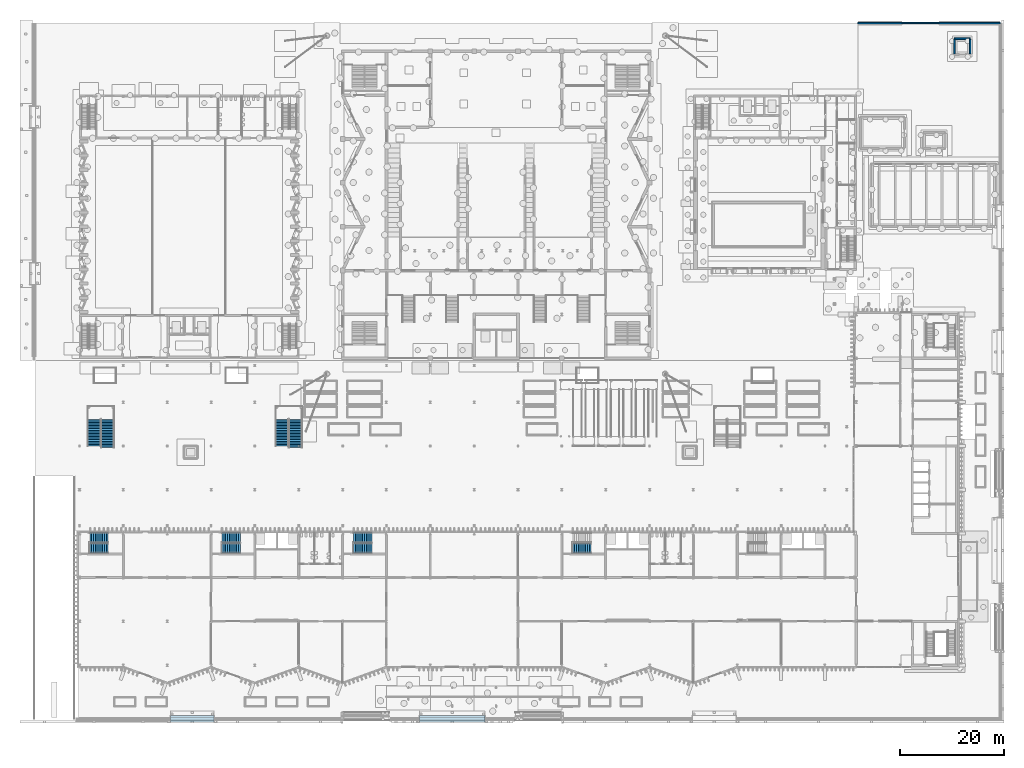
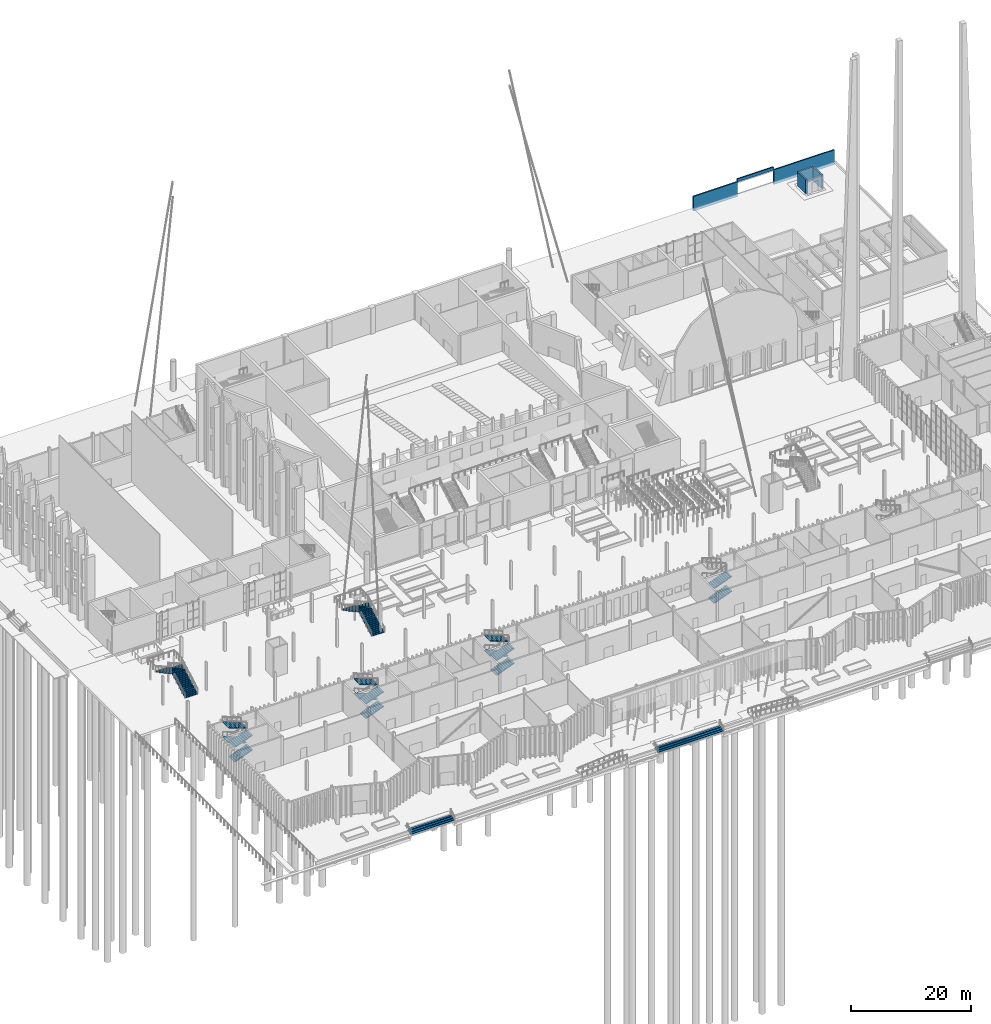
# One storey, part 77 of 108: 20 stair flights, 6 walls, 8 elements without a shape of their own.
"""IFC4 building model written with IfcOpenShell, lengths in metres."""

import ifcopenshell
import ifcopenshell.guid

model = None  # the IFC model being written
_history = None  # IfcOwnerHistory: only IFC2X3 demands one
_inside = {}  # id of a spatial element -> (the spatial element, [elements in it])
_under = {}  # id of a project, library or spatial element -> (it, [spatial elements below it])
_declared = {}  # id of a project -> (the project, [libraries it declares])
_typed = {}  # id of a type object -> (the type object, [elements of that type])
_made_of = {}  # id of a material, layer set ... -> (it, [elements and type objects made of it])


def new_model(schema):
    """Start an empty IFC model of exactly this schema.

    Asked for "IFC4X3", IfcOpenShell would pick the latest addendum, in which some entities
    have other attributes; the version numbers below select the first issue.
    IFC2X3 requires an IfcOwnerHistory on every rooted entity: one is made here for all.
    """
    global model, _history
    if schema == "IFC4X3":
        model = ifcopenshell.file(schema_version=(4, 3, 0, 0))
    else:
        model = ifcopenshell.file(schema=schema)
    _inside.clear()
    _under.clear()
    _declared.clear()
    _typed.clear()
    _made_of.clear()
    _history = None
    if model.schema == "IFC2X3":
        org = make("IfcOrganization", Name="unknown")
        user = make(
            "IfcPersonAndOrganization",
            ThePerson=make("IfcPerson", FamilyName="unknown"),
            TheOrganization=org,
        )
        app = make(
            "IfcApplication",
            ApplicationDeveloper=org,
            Version="unknown",
            ApplicationFullName="unknown",
            ApplicationIdentifier="unknown",
        )
        _history = make(
            "IfcOwnerHistory",
            OwningUser=user,
            OwningApplication=app,
            ChangeAction="ADDED",
            CreationDate=0,
        )
    return model


def make(cls, **values):
    """One entity of the class cls with the attributes given. An attribute that is None is left unset."""
    return model.create_entity(
        cls, **{name: value for name, value in values.items() if value is not None}
    )


def rooted(cls, **values):
    """An entity with a GlobalId (a new one), such as an element, a storey or a relation."""
    return make(cls, GlobalId=ifcopenshell.guid.new(), OwnerHistory=_history, **values)


def si_unit(unit_type, name, prefix=None):
    """IfcSIUnit, for example si_unit("LENGTHUNIT", "METRE", prefix="MILLI")."""
    return make("IfcSIUnit", UnitType=unit_type, Prefix=prefix, Name=name)


def assignment(units):
    """IfcUnitAssignment: the units of a project."""
    return None if units is None else make("IfcUnitAssignment", Units=units)


def point(xyz):
    """IfcCartesianPoint."""
    return None if xyz is None else make("IfcCartesianPoint", Coordinates=xyz)


def direction(xyz):
    """IfcDirection."""
    return None if xyz is None else make("IfcDirection", DirectionRatios=xyz)


def frame(location, z_axis=None, x_axis=None):
    """IfcAxis2Placement3D, a coordinate frame: its origin and axes. An axis left out is left unset."""
    return make(
        "IfcAxis2Placement3D",
        Location=point(location),
        Axis=direction(z_axis),
        RefDirection=direction(x_axis),
    )


def frame_2d(location, x_axis=None):
    """IfcAxis2Placement2D, a coordinate frame in the plane: its origin and x axis."""
    return make(
        "IfcAxis2Placement2D", Location=point(location), RefDirection=direction(x_axis)
    )


def origin():
    """The frame at (0, 0, 0) with its axes left unset."""
    return frame((0.0, 0.0, 0.0))


def place(relative_to, where):
    """IfcLocalPlacement: puts the frame where relative to a parent placement (None: the world)."""
    return make(
        "IfcLocalPlacement", PlacementRelTo=relative_to, RelativePlacement=where
    )


def context(
    kind, dimensions, precision=None, world=None, true_north=None, identifier=None
):
    """IfcGeometricRepresentationContext, for example the 3D "Model" context."""
    return make(
        "IfcGeometricRepresentationContext",
        ContextIdentifier=identifier,
        ContextType=kind,
        CoordinateSpaceDimension=dimensions,
        Precision=precision,
        WorldCoordinateSystem=world,
        TrueNorth=true_north,
    )


def subcontext(parent, identifier, kind, view, scale=None):
    """IfcGeometricRepresentationSubContext, for example "Body" below "Model"."""
    return make(
        "IfcGeometricRepresentationSubContext",
        ContextIdentifier=identifier,
        ContextType=kind,
        ParentContext=parent,
        TargetScale=scale,
        TargetView=view,
    )


def project(units=None, contexts=None):
    """IfcProject with its units and contexts."""
    return rooted(
        "IfcProject",
        Name="project",
        RepresentationContexts=contexts,
        UnitsInContext=assignment(units),
    )


def spatial(cls, under=None, at=None, **own):
    """A site, building, storey or space (cls), placed at a placement, below another one or the project."""
    s = rooted(cls, ObjectPlacement=at, **own)
    if under is not None:
        _under.setdefault(under.id(), (under, []))[1].append(s)
    return s


def polyline(points):
    """IfcPolyline through the points."""
    return make("IfcPolyline", Points=[point(p) for p in points])


def profile(cls, at=None, kind="AREA", **sizes):
    """A parametric profile (cls). Its sizes go by their IFC names, for example OverallWidth=200.0."""
    return make(cls, ProfileType=kind, Position=at, **sizes)


def rectangle(**sizes):
    """IfcRectangleProfileDef."""
    return profile("IfcRectangleProfileDef", **sizes)


def outline(outer, holes=None, kind="AREA"):
    """IfcArbitraryClosedProfileDef: a profile drawn as a closed curve; with holes, ...WithVoids."""
    if holes is None:
        return make("IfcArbitraryClosedProfileDef", ProfileType=kind, OuterCurve=outer)
    return make(
        "IfcArbitraryProfileDefWithVoids",
        ProfileType=kind,
        OuterCurve=outer,
        InnerCurves=holes,
    )


def extrude(swept, where, along, depth):
    """IfcExtrudedAreaSolid: the profile swept, set in the frame where, extruded along a direction by depth."""
    return make(
        "IfcExtrudedAreaSolid",
        SweptArea=swept,
        Position=where,
        ExtrudedDirection=direction(along),
        Depth=depth,
    )


def shape(context_of_items, identifier, shape_type, items):
    """IfcShapeRepresentation: the items that make up one representation, for example the "Body"."""
    return make(
        "IfcShapeRepresentation",
        ContextOfItems=context_of_items,
        RepresentationIdentifier=identifier,
        RepresentationType=shape_type,
        Items=items,
    )


def material(Name=None, Category=None):
    """IfcMaterial."""
    return make("IfcMaterial", Name=Name, Category=Category)


def layer(
    of_material, thickness, ventilated=None, Name=None, Category=None, Priority=None
):
    """IfcMaterialLayer: one layer of a wall or slab, of a material (None: an air gap)."""
    return make(
        "IfcMaterialLayer",
        Material=of_material,
        LayerThickness=thickness,
        IsVentilated=ventilated,
        Name=Name,
        Category=Category,
        Priority=Priority,
    )


def layer_set(layers, Name=None):
    """IfcMaterialLayerSet."""
    return make("IfcMaterialLayerSet", MaterialLayers=layers, LayerSetName=Name)


def made_of(thing, what):
    """Note that an element or type object is made of a material, layer set ...; save() writes the relation."""
    if what is not None:
        _made_of.setdefault(what.id(), (what, []))[1].append(thing)
    return thing


def type_object(cls, material=None, **own):
    """A type object (cls), such as IfcWallType, which elements share."""
    return made_of(rooted(cls, **own), material)


def element(
    cls,
    number,
    at=None,
    inside=None,
    cuts=None,
    type_object=None,
    material=None,
    context=None,
    identifier="Body",
    shape_type=None,
    held_by="IfcProductDefinitionShape",
    body=None,
    shapes=None,
    **own,
):
    """One element of the class cls, such as IfcWall. Its Tag is "e" and its number.

    at: its placement. inside: the storey or other place that contains it. cuts: it is an
    opening in that element (IfcRelVoidsElement). A single representation is given by context,
    identifier, shape_type and body (its items); several are given by shapes. held_by: the class
    of the entity that holds the representations. save() writes the other relations.
    """
    e = rooted(cls, Tag="e%d" % number, ObjectPlacement=at, **own)
    if body is not None:
        shapes = [shape(context, identifier, shape_type, body)]
    if shapes is not None:
        e.Representation = make(held_by, Representations=shapes)
    if inside is not None:
        _inside.setdefault(inside.id(), (inside, []))[1].append(e)
    if cuts is not None:
        rooted(
            "IfcRelVoidsElement", RelatingBuildingElement=cuts, RelatedOpeningElement=e
        )
    if type_object is not None:
        _typed.setdefault(type_object.id(), (type_object, []))[1].append(e)
    return made_of(e, material)


def aggregate(whole, parts):
    """IfcRelAggregates: a whole, such as a stair, and the parts it consists of."""
    return rooted("IfcRelAggregates", RelatingObject=whole, RelatedObjects=parts)


def save(model, path):
    """Write the relations noted so far, then the file.

    IfcRelAggregates (storeys below a building ...), IfcRelContainedInSpatialStructure (elements
    in a storey), IfcRelDefinesByType, IfcRelAssociatesMaterial and IfcRelDeclares: one each for
    every whole, place, type object, material and project.
    """
    for whole, parts in _under.values():
        aggregate(whole, parts)
    for where, things in _inside.values():
        rooted(
            "IfcRelContainedInSpatialStructure",
            RelatedElements=things,
            RelatingStructure=where,
        )
    for kind, things in _typed.values():
        rooted("IfcRelDefinesByType", RelatedObjects=things, RelatingType=kind)
    for what, things in _made_of.values():
        rooted("IfcRelAssociatesMaterial", RelatedObjects=things, RelatingMaterial=what)
    for by, libraries in _declared.values():
        rooted("IfcRelDeclares", RelatingContext=by, RelatedDefinitions=libraries)
    model.write(path)


model = new_model("IFC4")

# Units and contexts
model_context = context("Model", 3, precision=1e-05, world=origin(), true_north=direction((0.0, 1.0)))
body_context = subcontext(model_context, "Body", "Model", "MODEL_VIEW")
ifc_project = project(units=[si_unit("LENGTHUNIT", "METRE"), si_unit("AREAUNIT", "SQUARE_METRE"), si_unit("VOLUMEUNIT", "CUBIC_METRE"), si_unit("PLANEANGLEUNIT", "RADIAN"), si_unit("MASSUNIT", "GRAM", prefix="KILO")], contexts=[model_context])

# Site, building, storey
site_placement = place(None, origin())
site = spatial("IfcSite", under=ifc_project, at=site_placement, CompositionType="ELEMENT")
building_placement = place(site_placement, origin())
building = spatial("IfcBuilding", under=site, at=building_placement, Name="Cresset Court Congress Hotel", CompositionType="ELEMENT")
storey_placement = place(building_placement, origin())
storey = spatial("IfcBuildingStorey", under=building, at=storey_placement, Name="L00", CompositionType="ELEMENT", Elevation=0.0)

# Walls
ifc_material_1 = material(Name="Concrete C35", Category="concrete")
ifc_layer_1 = layer(ifc_material_1, 0.300048828125)
ifc_layer_set_1 = layer_set([ifc_layer_1], Name="Service building wall 300 Concrete C35")
wall_type_1 = type_object("IfcWallType", Name="Service building wall 300 Concrete C35", PredefinedType="SOLIDWALL", material=ifc_layer_set_1)
wall_1_placement = place(storey_placement, frame((176.0, 120.0, 0.0), z_axis=(0.0, 0.0, 1.0), x_axis=(1.0, 0.0, 0.0)))
element("IfcWall", 1, at=wall_1_placement, inside=storey, type_object=wall_type_1, Name="S.svc.GH.WN", PredefinedType="SOLIDWALL", context=body_context, shape_type="SweptSolid", body=[
    extrude(rectangle(XDim=3.0, YDim=0.300048828125, at=frame_2d((1.5, 0.0))), origin(), (0.0, 0.0, 1.0), 2.800048828125),
])
for number, where, z_axis, x_axis, name in (
    (2, (176.0, 117.125, 0.0), (0.0, 0.0, 1.0), (0.0, 1.0, 0.0), "S.svc.GH.WW"),
    (3, (179.0, 117.125, 0.0), (0.0, 0.0, 1.0), (0.0, 1.0, 0.0), "S.svc.GH.WE"),
):
    element("IfcWall", number, at=place(storey_placement, frame(where, z_axis=z_axis, x_axis=x_axis)), inside=storey, type_object=wall_type_1, Name=name, PredefinedType="SOLIDWALL", context=body_context, shape_type="SweptSolid", body=[
        extrude(rectangle(XDim=2.75, YDim=0.300048828125, at=frame_2d((1.375, 0.0))), origin(), (0.0, 0.0, 1.0), 2.800048828125),
    ])
ifc_material_2 = material(Name="Concrete C35", Category="concrete")
ifc_layer_2 = layer(ifc_material_2, 0.25)
ifc_layer_set_2 = layer_set([ifc_layer_2], Name="Site boundary wall 250")
wall_type_2 = type_object("IfcWallType", Name="Site boundary wall 250", PredefinedType="SOLIDWALL", material=ifc_layer_set_2)
wall_2_placement = place(storey_placement, frame((157.5, 123.0, -0.60009765625), z_axis=(0.0, 0.0, 1.0), x_axis=(1.0, 0.0, 0.0)))
element("IfcWall", 4, at=wall_2_placement, inside=storey, type_object=wall_type_2, Name="S.wall.L00.GATE.W", PredefinedType="SOLIDWALL", context=body_context, shape_type="SweptSolid", body=[
    extrude(rectangle(XDim=8.5, YDim=0.25, at=frame_2d((4.25, 0.0))), origin(), (0.0, 0.0, 1.0), 3.0),
])
wall_3_placement = place(storey_placement, frame((173.0, 123.0, -0.60009765625), z_axis=(0.0, 0.0, 1.0), x_axis=(1.0, 0.0, 0.0)))
element("IfcWall", 5, at=wall_3_placement, inside=storey, type_object=wall_type_2, Name="S.wall.L00.GATE.E", PredefinedType="SOLIDWALL", context=body_context, shape_type="SweptSolid", body=[
    extrude(rectangle(XDim=11.75, YDim=0.25, at=frame_2d((5.875, 0.0))), origin(), (0.0, 0.0, 1.0), 3.0),
])
wall_4_placement = place(storey_placement, frame((166.0, 123.0, 2.39990234375), z_axis=(0.0, 0.0, 1.0), x_axis=(1.0, 0.0, 0.0)))
element("IfcWall", 6, at=wall_4_placement, inside=storey, type_object=wall_type_2, Name="S.wall.L00.GATE.M", PredefinedType="SOLIDWALL", context=body_context, shape_type="SweptSolid", body=[
    extrude(rectangle(XDim=7.0, YDim=0.25, at=frame_2d((3.5, 0.0))), origin(), (0.0, 0.0, 1.0), 0.60009765625),
])

# Stair, stair flight
ifc_material_3 = material(Name="Concrete C35", Category="concrete")
stair_type_1 = type_object("IfcStairType", Name="External stair 4 risers", PredefinedType="STRAIGHT_RUN_STAIR", material=ifc_material_3)
stair_1_placement = place(storey_placement, origin())
stair_1 = element("IfcStair", 7, at=stair_1_placement, inside=storey, type_object=stair_type_1, Name="Entrance steps S01", PredefinedType="STRAIGHT_RUN_STAIR")
ifc_material_4 = material(Name="Concrete C35", Category="concrete")
stair_flight_type_1 = type_object("IfcStairFlightType", Name="Entrance step flight on grade", PredefinedType="STRAIGHT", material=ifc_material_4)
stair_flight_1_placement = place(storey_placement, frame((30.0, -10.85009765625, -0.60009765625), z_axis=(0.0, 0.0, 1.0), x_axis=(0.0, 1.0, 0.0)))
stair_flight_1 = element("IfcStairFlight", 8, at=stair_flight_1_placement, type_object=stair_flight_type_1, Name="S-ST1 flight 1", NumberOfRisers=4, NumberOfTreads=3, PredefinedType="STRAIGHT", RiserHeight=0.15, TreadLength=0.4, context=body_context, shape_type="SweptSolid", body=[
    extrude(outline(polyline([(0.0, 0.0), (0.0, 0.14990234375), (0.39990234375, 0.14990234375), (0.39990234375, 0.300048828125), (0.800048828125, 0.300048828125), (0.800048828125, 0.449951171875), (1.199951171875, 0.449951171875), (1.199951171875, 0.60009765625), (1.199951171875, 0.02294921875), (1.138916015625, 0.0), (0.0, 0.0)])), frame((0.0, 4.199951171875, 0.0), z_axis=(0.0, -1.0, 0.0), x_axis=(1.0, 0.0, 0.0)), (0.0, 0.0, 1.0), 8.39990234375),
])
aggregate(stair_1, [stair_flight_1])

stair_2_placement = place(storey_placement, origin())
stair_2 = element("IfcStair", 9, at=stair_2_placement, inside=storey, type_object=stair_type_1, Name="Entrance steps S02", PredefinedType="STRAIGHT_RUN_STAIR")
stair_flight_2_placement = place(storey_placement, frame((79.800048828125, -10.85009765625, -0.60009765625), z_axis=(0.0, 0.0, 1.0), x_axis=(0.0, 1.0, 0.0)))
stair_flight_2 = element("IfcStairFlight", 10, at=stair_flight_2_placement, type_object=stair_flight_type_1, Name="S-ST1 flight 1", NumberOfRisers=4, NumberOfTreads=3, PredefinedType="STRAIGHT", RiserHeight=0.15, TreadLength=0.4, context=body_context, shape_type="SweptSolid", body=[
    extrude(outline(polyline([(0.0, 0.0), (0.0, 0.14990234375), (0.39990234375, 0.14990234375), (0.39990234375, 0.300048828125), (0.800048828125, 0.300048828125), (0.800048828125, 0.449951171875), (1.199951171875, 0.449951171875), (1.199951171875, 0.60009765625), (1.199951171875, 0.02294921875), (1.138916015625, 0.0), (0.0, 0.0)])), frame((0.0, 6.300048828125, 0.0), z_axis=(0.0, -1.0, 0.0), x_axis=(1.0, 0.0, 0.0)), (0.0, 0.0, 1.0), 12.60009765625),
])
aggregate(stair_2, [stair_flight_2])

# Stair, stair flights
ifc_material_5 = material(Name="Concrete C40", Category="concrete")
stair_type_2 = type_object("IfcStairType", Name="Dog-leg stair 1400 flights", PredefinedType="HALF_TURN_STAIR", material=ifc_material_5)
stair_3_placement = place(storey_placement, origin())
stair_3 = element("IfcStair", 11, at=stair_3_placement, inside=storey, type_object=stair_type_2, Name="L00 Stair ST-B1", PredefinedType="HALF_TURN_STAIR")
ifc_material_6 = material(Name="Concrete C40", Category="concrete")
stair_flight_type_2 = type_object("IfcStairFlightType", Name="Stair flight 1400", PredefinedType="STRAIGHT", material=ifc_material_6)
stair_flight_3_placement = place(storey_placement, frame((10.3798828125, 22.39990234375, 0.0), z_axis=(0.0, 0.0, 1.0), x_axis=(1.0, 0.0, 0.0)))
stair_flight_3 = element("IfcStairFlight", 12, at=stair_flight_3_placement, type_object=stair_flight_type_2, Name="ST-B1 flight 1", NumberOfRisers=11, NumberOfTreads=10, PredefinedType="STRAIGHT", RiserHeight=0.136363636, TreadLength=0.35, context=body_context, shape_type="SweptSolid", body=[
    extrude(outline(polyline([(0.0, 0.0), (0.0, 0.136474609375), (0.35009765625, 0.136474609375), (0.35009765625, 0.272705078125), (0.699951171875, 0.272705078125), (0.699951171875, 0.4091796875), (1.050048828125, 0.4091796875), (1.050048828125, 0.54541015625), (1.39990234375, 0.54541015625), (1.39990234375, 0.681884765625), (1.75, 0.681884765625), (1.75, 0.818115234375), (2.10009765625, 0.818115234375), (2.10009765625, 0.95458984375), (2.449951171875, 0.95458984375), (2.449951171875, 1.0908203125), (2.800048828125, 1.0908203125), (2.800048828125, 1.227294921875), (3.14990234375, 1.227294921875), (3.14990234375, 1.363525390625), (3.5, 1.363525390625), (3.5, 1.5), (3.5, 1.20263671875), (0.412841796875, 0.0), (0.0, 0.0)])), frame((0.0, 0.949951171875, 0.0), z_axis=(0.0, -1.0, 0.0), x_axis=(1.0, 0.0, 0.0)), (0.0, 0.0, 1.0), 1.89990234375),
])
stair_flight_4_placement = place(storey_placement, frame((13.8798828125, 24.449951171875, 1.5), z_axis=(0.0, 0.0, 1.0), x_axis=(-1.0, 0.0, 0.0)))
stair_flight_4 = element("IfcStairFlight", 13, at=stair_flight_4_placement, type_object=stair_flight_type_2, Name="ST-B1 flight 2", NumberOfRisers=11, NumberOfTreads=10, PredefinedType="STRAIGHT", RiserHeight=0.136363636, TreadLength=0.35, context=body_context, shape_type="SweptSolid", body=[
    extrude(outline(polyline([(0.0, 0.0), (0.0, 0.136474609375), (0.35009765625, 0.136474609375), (0.35009765625, 0.272705078125), (0.699951171875, 0.272705078125), (0.699951171875, 0.4091796875), (1.050048828125, 0.4091796875), (1.050048828125, 0.54541015625), (1.39990234375, 0.54541015625), (1.39990234375, 0.681884765625), (1.75, 0.681884765625), (1.75, 0.818115234375), (2.10009765625, 0.818115234375), (2.10009765625, 0.95458984375), (2.449951171875, 0.95458984375), (2.449951171875, 1.0908203125), (2.800048828125, 1.0908203125), (2.800048828125, 1.227294921875), (3.14990234375, 1.227294921875), (3.14990234375, 1.363525390625), (3.5, 1.363525390625), (3.5, 1.5), (3.5, 1.20263671875), (0.412841796875, 0.0), (0.0, 0.0)])), frame((0.0, 0.949951171875, 0.0), z_axis=(0.0, -1.0, 0.0), x_axis=(1.0, 0.0, 0.0)), (0.0, 0.0, 1.0), 1.89990234375),
])
stair_flight_5_placement = place(storey_placement, frame((10.3798828125, 22.39990234375, 3.0), z_axis=(0.0, 0.0, 1.0), x_axis=(1.0, 0.0, 0.0)))
stair_flight_5 = element("IfcStairFlight", 14, at=stair_flight_5_placement, type_object=stair_flight_type_2, Name="ST-B1 flight 3", NumberOfRisers=11, NumberOfTreads=10, PredefinedType="STRAIGHT", RiserHeight=0.136363636, TreadLength=0.35, context=body_context, shape_type="SweptSolid", body=[
    extrude(outline(polyline([(0.0, 0.0), (0.0, 0.136474609375), (0.35009765625, 0.136474609375), (0.35009765625, 0.272705078125), (0.699951171875, 0.272705078125), (0.699951171875, 0.4091796875), (1.050048828125, 0.4091796875), (1.050048828125, 0.54541015625), (1.39990234375, 0.54541015625), (1.39990234375, 0.681884765625), (1.75, 0.681884765625), (1.75, 0.818115234375), (2.10009765625, 0.818115234375), (2.10009765625, 0.95458984375), (2.449951171875, 0.95458984375), (2.449951171875, 1.0908203125), (2.800048828125, 1.0908203125), (2.800048828125, 1.227294921875), (3.14990234375, 1.227294921875), (3.14990234375, 1.363525390625), (3.5, 1.363525390625), (3.5, 1.5), (3.5, 1.20263671875), (0.412841796875, 0.0), (0.0, 0.0)])), frame((0.0, 0.949951171875, 0.0), z_axis=(0.0, -1.0, 0.0), x_axis=(1.0, 0.0, 0.0)), (0.0, 0.0, 1.0), 1.89990234375),
])
stair_flight_6_placement = place(storey_placement, frame((13.8798828125, 24.449951171875, 4.5), z_axis=(0.0, 0.0, 1.0), x_axis=(-1.0, 0.0, 0.0)))
stair_flight_6 = element("IfcStairFlight", 15, at=stair_flight_6_placement, type_object=stair_flight_type_2, Name="ST-B1 flight 4", NumberOfRisers=11, NumberOfTreads=10, PredefinedType="STRAIGHT", RiserHeight=0.136363636, TreadLength=0.35, context=body_context, shape_type="SweptSolid", body=[
    extrude(outline(polyline([(0.0, 0.0), (0.0, 0.136474609375), (0.35009765625, 0.136474609375), (0.35009765625, 0.272705078125), (0.699951171875, 0.272705078125), (0.699951171875, 0.4091796875), (1.050048828125, 0.4091796875), (1.050048828125, 0.54541015625), (1.39990234375, 0.54541015625), (1.39990234375, 0.681884765625), (1.75, 0.681884765625), (1.75, 0.818115234375), (2.10009765625, 0.818115234375), (2.10009765625, 0.95458984375), (2.449951171875, 0.95458984375), (2.449951171875, 1.0908203125), (2.800048828125, 1.0908203125), (2.800048828125, 1.227294921875), (3.14990234375, 1.227294921875), (3.14990234375, 1.363525390625), (3.5, 1.363525390625), (3.5, 1.5), (3.5, 1.20263671875), (0.412841796875, 0.0), (0.0, 0.0)])), frame((0.0, 0.949951171875, 0.0), z_axis=(0.0, -1.0, 0.0), x_axis=(1.0, 0.0, 0.0)), (0.0, 0.0, 1.0), 1.89990234375),
])
aggregate(stair_3, [stair_flight_3, stair_flight_4, stair_flight_5, stair_flight_6])

stair_4_placement = place(storey_placement, origin())
stair_4 = element("IfcStair", 16, at=stair_4_placement, inside=storey, type_object=stair_type_2, Name="L00 Stair ST-B2", PredefinedType="HALF_TURN_STAIR")
stair_flight_7_placement = place(storey_placement, frame((35.699951171875, 22.39990234375, 0.0), z_axis=(0.0, 0.0, 1.0), x_axis=(1.0, 0.0, 0.0)))
stair_flight_7 = element("IfcStairFlight", 17, at=stair_flight_7_placement, type_object=stair_flight_type_2, Name="ST-B2 flight 1", NumberOfRisers=11, NumberOfTreads=10, PredefinedType="STRAIGHT", RiserHeight=0.136363636, TreadLength=0.35, context=body_context, shape_type="SweptSolid", body=[
    extrude(outline(polyline([(0.0, 0.0), (0.0, 0.136474609375), (0.35009765625, 0.136474609375), (0.35009765625, 0.272705078125), (0.699951171875, 0.272705078125), (0.699951171875, 0.4091796875), (1.050048828125, 0.4091796875), (1.050048828125, 0.54541015625), (1.39990234375, 0.54541015625), (1.39990234375, 0.681884765625), (1.75, 0.681884765625), (1.75, 0.818115234375), (2.10009765625, 0.818115234375), (2.10009765625, 0.95458984375), (2.449951171875, 0.95458984375), (2.449951171875, 1.0908203125), (2.800048828125, 1.0908203125), (2.800048828125, 1.227294921875), (3.14990234375, 1.227294921875), (3.14990234375, 1.363525390625), (3.5, 1.363525390625), (3.5, 1.5), (3.5, 1.20263671875), (0.412841796875, 0.0), (0.0, 0.0)])), frame((0.0, 0.949951171875, 0.0), z_axis=(0.0, -1.0, 0.0), x_axis=(1.0, 0.0, 0.0)), (0.0, 0.0, 1.0), 1.89990234375),
])
stair_flight_8_placement = place(storey_placement, frame((39.199951171875, 24.449951171875, 1.5), z_axis=(0.0, 0.0, 1.0), x_axis=(-1.0, 0.0, 0.0)))
stair_flight_8 = element("IfcStairFlight", 18, at=stair_flight_8_placement, type_object=stair_flight_type_2, Name="ST-B2 flight 2", NumberOfRisers=11, NumberOfTreads=10, PredefinedType="STRAIGHT", RiserHeight=0.136363636, TreadLength=0.35, context=body_context, shape_type="SweptSolid", body=[
    extrude(outline(polyline([(0.0, 0.0), (0.0, 0.136474609375), (0.35009765625, 0.136474609375), (0.35009765625, 0.272705078125), (0.699951171875, 0.272705078125), (0.699951171875, 0.4091796875), (1.050048828125, 0.4091796875), (1.050048828125, 0.54541015625), (1.39990234375, 0.54541015625), (1.39990234375, 0.681884765625), (1.75, 0.681884765625), (1.75, 0.818115234375), (2.10009765625, 0.818115234375), (2.10009765625, 0.95458984375), (2.449951171875, 0.95458984375), (2.449951171875, 1.0908203125), (2.800048828125, 1.0908203125), (2.800048828125, 1.227294921875), (3.14990234375, 1.227294921875), (3.14990234375, 1.363525390625), (3.5, 1.363525390625), (3.5, 1.5), (3.5, 1.20263671875), (0.412841796875, 0.0), (0.0, 0.0)])), frame((0.0, 0.949951171875, 0.0), z_axis=(0.0, -1.0, 0.0), x_axis=(1.0, 0.0, 0.0)), (0.0, 0.0, 1.0), 1.89990234375),
])
stair_flight_9_placement = place(storey_placement, frame((35.699951171875, 22.39990234375, 3.0), z_axis=(0.0, 0.0, 1.0), x_axis=(1.0, 0.0, 0.0)))
stair_flight_9 = element("IfcStairFlight", 19, at=stair_flight_9_placement, type_object=stair_flight_type_2, Name="ST-B2 flight 3", NumberOfRisers=11, NumberOfTreads=10, PredefinedType="STRAIGHT", RiserHeight=0.136363636, TreadLength=0.35, context=body_context, shape_type="SweptSolid", body=[
    extrude(outline(polyline([(0.0, 0.0), (0.0, 0.136474609375), (0.35009765625, 0.136474609375), (0.35009765625, 0.272705078125), (0.699951171875, 0.272705078125), (0.699951171875, 0.4091796875), (1.050048828125, 0.4091796875), (1.050048828125, 0.54541015625), (1.39990234375, 0.54541015625), (1.39990234375, 0.681884765625), (1.75, 0.681884765625), (1.75, 0.818115234375), (2.10009765625, 0.818115234375), (2.10009765625, 0.95458984375), (2.449951171875, 0.95458984375), (2.449951171875, 1.0908203125), (2.800048828125, 1.0908203125), (2.800048828125, 1.227294921875), (3.14990234375, 1.227294921875), (3.14990234375, 1.363525390625), (3.5, 1.363525390625), (3.5, 1.5), (3.5, 1.20263671875), (0.412841796875, 0.0), (0.0, 0.0)])), frame((0.0, 0.949951171875, 0.0), z_axis=(0.0, -1.0, 0.0), x_axis=(1.0, 0.0, 0.0)), (0.0, 0.0, 1.0), 1.89990234375),
])
stair_flight_10_placement = place(storey_placement, frame((39.199951171875, 24.449951171875, 4.5), z_axis=(0.0, 0.0, 1.0), x_axis=(-1.0, 0.0, 0.0)))
stair_flight_10 = element("IfcStairFlight", 20, at=stair_flight_10_placement, type_object=stair_flight_type_2, Name="ST-B2 flight 4", NumberOfRisers=11, NumberOfTreads=10, PredefinedType="STRAIGHT", RiserHeight=0.136363636, TreadLength=0.35, context=body_context, shape_type="SweptSolid", body=[
    extrude(outline(polyline([(0.0, 0.0), (0.0, 0.136474609375), (0.35009765625, 0.136474609375), (0.35009765625, 0.272705078125), (0.699951171875, 0.272705078125), (0.699951171875, 0.4091796875), (1.050048828125, 0.4091796875), (1.050048828125, 0.54541015625), (1.39990234375, 0.54541015625), (1.39990234375, 0.681884765625), (1.75, 0.681884765625), (1.75, 0.818115234375), (2.10009765625, 0.818115234375), (2.10009765625, 0.95458984375), (2.449951171875, 0.95458984375), (2.449951171875, 1.0908203125), (2.800048828125, 1.0908203125), (2.800048828125, 1.227294921875), (3.14990234375, 1.227294921875), (3.14990234375, 1.363525390625), (3.5, 1.363525390625), (3.5, 1.5), (3.5, 1.20263671875), (0.412841796875, 0.0), (0.0, 0.0)])), frame((0.0, 0.949951171875, 0.0), z_axis=(0.0, -1.0, 0.0), x_axis=(1.0, 0.0, 0.0)), (0.0, 0.0, 1.0), 1.89990234375),
])
aggregate(stair_4, [stair_flight_7, stair_flight_8, stair_flight_9, stair_flight_10])

stair_5_placement = place(storey_placement, origin())
stair_5 = element("IfcStair", 21, at=stair_5_placement, inside=storey, type_object=stair_type_2, Name="L00 Stair ST-B3", PredefinedType="HALF_TURN_STAIR")
stair_flight_11_placement = place(storey_placement, frame((60.89990234375, 22.39990234375, 0.0), z_axis=(0.0, 0.0, 1.0), x_axis=(1.0, 0.0, 0.0)))
stair_flight_11 = element("IfcStairFlight", 22, at=stair_flight_11_placement, type_object=stair_flight_type_2, Name="ST-B3 flight 1", NumberOfRisers=11, NumberOfTreads=10, PredefinedType="STRAIGHT", RiserHeight=0.136363636, TreadLength=0.35, context=body_context, shape_type="SweptSolid", body=[
    extrude(outline(polyline([(0.0, 0.0), (0.0, 0.136474609375), (0.35009765625, 0.136474609375), (0.35009765625, 0.272705078125), (0.699951171875, 0.272705078125), (0.699951171875, 0.4091796875), (1.050048828125, 0.4091796875), (1.050048828125, 0.54541015625), (1.39990234375, 0.54541015625), (1.39990234375, 0.681884765625), (1.75, 0.681884765625), (1.75, 0.818115234375), (2.10009765625, 0.818115234375), (2.10009765625, 0.95458984375), (2.449951171875, 0.95458984375), (2.449951171875, 1.0908203125), (2.800048828125, 1.0908203125), (2.800048828125, 1.227294921875), (3.14990234375, 1.227294921875), (3.14990234375, 1.363525390625), (3.5, 1.363525390625), (3.5, 1.5), (3.5, 1.20263671875), (0.412841796875, 0.0), (0.0, 0.0)])), frame((0.0, 0.949951171875, 0.0), z_axis=(0.0, -1.0, 0.0), x_axis=(1.0, 0.0, 0.0)), (0.0, 0.0, 1.0), 1.89990234375),
])
stair_flight_12_placement = place(storey_placement, frame((64.39990234375, 24.449951171875, 1.5), z_axis=(0.0, 0.0, 1.0), x_axis=(-1.0, 0.0, 0.0)))
stair_flight_12 = element("IfcStairFlight", 23, at=stair_flight_12_placement, type_object=stair_flight_type_2, Name="ST-B3 flight 2", NumberOfRisers=11, NumberOfTreads=10, PredefinedType="STRAIGHT", RiserHeight=0.136363636, TreadLength=0.35, context=body_context, shape_type="SweptSolid", body=[
    extrude(outline(polyline([(0.0, 0.0), (0.0, 0.136474609375), (0.35009765625, 0.136474609375), (0.35009765625, 0.272705078125), (0.699951171875, 0.272705078125), (0.699951171875, 0.4091796875), (1.050048828125, 0.4091796875), (1.050048828125, 0.54541015625), (1.39990234375, 0.54541015625), (1.39990234375, 0.681884765625), (1.75, 0.681884765625), (1.75, 0.818115234375), (2.10009765625, 0.818115234375), (2.10009765625, 0.95458984375), (2.449951171875, 0.95458984375), (2.449951171875, 1.0908203125), (2.800048828125, 1.0908203125), (2.800048828125, 1.227294921875), (3.14990234375, 1.227294921875), (3.14990234375, 1.363525390625), (3.5, 1.363525390625), (3.5, 1.5), (3.5, 1.20263671875), (0.412841796875, 0.0), (0.0, 0.0)])), frame((0.0, 0.949951171875, 0.0), z_axis=(0.0, -1.0, 0.0), x_axis=(1.0, 0.0, 0.0)), (0.0, 0.0, 1.0), 1.89990234375),
])
stair_flight_13_placement = place(storey_placement, frame((60.89990234375, 22.39990234375, 3.0), z_axis=(0.0, 0.0, 1.0), x_axis=(1.0, 0.0, 0.0)))
stair_flight_13 = element("IfcStairFlight", 24, at=stair_flight_13_placement, type_object=stair_flight_type_2, Name="ST-B3 flight 3", NumberOfRisers=11, NumberOfTreads=10, PredefinedType="STRAIGHT", RiserHeight=0.136363636, TreadLength=0.35, context=body_context, shape_type="SweptSolid", body=[
    extrude(outline(polyline([(0.0, 0.0), (0.0, 0.136474609375), (0.35009765625, 0.136474609375), (0.35009765625, 0.272705078125), (0.699951171875, 0.272705078125), (0.699951171875, 0.4091796875), (1.050048828125, 0.4091796875), (1.050048828125, 0.54541015625), (1.39990234375, 0.54541015625), (1.39990234375, 0.681884765625), (1.75, 0.681884765625), (1.75, 0.818115234375), (2.10009765625, 0.818115234375), (2.10009765625, 0.95458984375), (2.449951171875, 0.95458984375), (2.449951171875, 1.0908203125), (2.800048828125, 1.0908203125), (2.800048828125, 1.227294921875), (3.14990234375, 1.227294921875), (3.14990234375, 1.363525390625), (3.5, 1.363525390625), (3.5, 1.5), (3.5, 1.20263671875), (0.412841796875, 0.0), (0.0, 0.0)])), frame((0.0, 0.949951171875, 0.0), z_axis=(0.0, -1.0, 0.0), x_axis=(1.0, 0.0, 0.0)), (0.0, 0.0, 1.0), 1.89990234375),
])
stair_flight_14_placement = place(storey_placement, frame((64.39990234375, 24.449951171875, 4.5), z_axis=(0.0, 0.0, 1.0), x_axis=(-1.0, 0.0, 0.0)))
stair_flight_14 = element("IfcStairFlight", 25, at=stair_flight_14_placement, type_object=stair_flight_type_2, Name="ST-B3 flight 4", NumberOfRisers=11, NumberOfTreads=10, PredefinedType="STRAIGHT", RiserHeight=0.136363636, TreadLength=0.35, context=body_context, shape_type="SweptSolid", body=[
    extrude(outline(polyline([(0.0, 0.0), (0.0, 0.136474609375), (0.35009765625, 0.136474609375), (0.35009765625, 0.272705078125), (0.699951171875, 0.272705078125), (0.699951171875, 0.4091796875), (1.050048828125, 0.4091796875), (1.050048828125, 0.54541015625), (1.39990234375, 0.54541015625), (1.39990234375, 0.681884765625), (1.75, 0.681884765625), (1.75, 0.818115234375), (2.10009765625, 0.818115234375), (2.10009765625, 0.95458984375), (2.449951171875, 0.95458984375), (2.449951171875, 1.0908203125), (2.800048828125, 1.0908203125), (2.800048828125, 1.227294921875), (3.14990234375, 1.227294921875), (3.14990234375, 1.363525390625), (3.5, 1.363525390625), (3.5, 1.5), (3.5, 1.20263671875), (0.412841796875, 0.0), (0.0, 0.0)])), frame((0.0, 0.949951171875, 0.0), z_axis=(0.0, -1.0, 0.0), x_axis=(1.0, 0.0, 0.0)), (0.0, 0.0, 1.0), 1.89990234375),
])
aggregate(stair_5, [stair_flight_11, stair_flight_12, stair_flight_13, stair_flight_14])

stair_6_placement = place(storey_placement, origin())
stair_6 = element("IfcStair", 26, at=stair_6_placement, inside=storey, type_object=stair_type_2, Name="L00 Stair ST-B4", PredefinedType="HALF_TURN_STAIR")
stair_flight_15_placement = place(storey_placement, frame((102.89990234375, 22.39990234375, 0.0), z_axis=(0.0, 0.0, 1.0), x_axis=(1.0, 0.0, 0.0)))
stair_flight_15 = element("IfcStairFlight", 27, at=stair_flight_15_placement, type_object=stair_flight_type_2, Name="ST-B4 flight 1", NumberOfRisers=11, NumberOfTreads=10, PredefinedType="STRAIGHT", RiserHeight=0.136363636, TreadLength=0.35, context=body_context, shape_type="SweptSolid", body=[
    extrude(outline(polyline([(0.0, 0.0), (0.0, 0.136474609375), (0.35009765625, 0.136474609375), (0.35009765625, 0.272705078125), (0.699951171875, 0.272705078125), (0.699951171875, 0.4091796875), (1.050048828125, 0.4091796875), (1.050048828125, 0.54541015625), (1.39990234375, 0.54541015625), (1.39990234375, 0.681884765625), (1.75, 0.681884765625), (1.75, 0.818115234375), (2.10009765625, 0.818115234375), (2.10009765625, 0.95458984375), (2.449951171875, 0.95458984375), (2.449951171875, 1.0908203125), (2.800048828125, 1.0908203125), (2.800048828125, 1.227294921875), (3.14990234375, 1.227294921875), (3.14990234375, 1.363525390625), (3.5, 1.363525390625), (3.5, 1.5), (3.5, 1.20263671875), (0.412841796875, 0.0), (0.0, 0.0)])), frame((0.0, 0.949951171875, 0.0), z_axis=(0.0, -1.0, 0.0), x_axis=(1.0, 0.0, 0.0)), (0.0, 0.0, 1.0), 1.89990234375),
])
stair_flight_16_placement = place(storey_placement, frame((102.89990234375, 22.39990234375, 3.0), z_axis=(0.0, 0.0, 1.0), x_axis=(1.0, 0.0, 0.0)))
stair_flight_16 = element("IfcStairFlight", 28, at=stair_flight_16_placement, type_object=stair_flight_type_2, Name="ST-B4 flight 3", NumberOfRisers=11, NumberOfTreads=10, PredefinedType="STRAIGHT", RiserHeight=0.136363636, TreadLength=0.35, context=body_context, shape_type="SweptSolid", body=[
    extrude(outline(polyline([(0.0, 0.0), (0.0, 0.136474609375), (0.35009765625, 0.136474609375), (0.35009765625, 0.272705078125), (0.699951171875, 0.272705078125), (0.699951171875, 0.4091796875), (1.050048828125, 0.4091796875), (1.050048828125, 0.54541015625), (1.39990234375, 0.54541015625), (1.39990234375, 0.681884765625), (1.75, 0.681884765625), (1.75, 0.818115234375), (2.10009765625, 0.818115234375), (2.10009765625, 0.95458984375), (2.449951171875, 0.95458984375), (2.449951171875, 1.0908203125), (2.800048828125, 1.0908203125), (2.800048828125, 1.227294921875), (3.14990234375, 1.227294921875), (3.14990234375, 1.363525390625), (3.5, 1.363525390625), (3.5, 1.5), (3.5, 1.20263671875), (0.412841796875, 0.0), (0.0, 0.0)])), frame((0.0, 0.949951171875, 0.0), z_axis=(0.0, -1.0, 0.0), x_axis=(1.0, 0.0, 0.0)), (0.0, 0.0, 1.0), 1.89990234375),
])
aggregate(stair_6, [stair_flight_15, stair_flight_16])

ifc_material_7 = material(Name="Concrete C35", Category="concrete")
stair_type_3 = type_object("IfcStairType", Name="Deck stair", PredefinedType="HALF_TURN_STAIR", material=ifc_material_7)
stair_7_placement = place(storey_placement, origin())
stair_7 = element("IfcStair", 29, at=stair_7_placement, inside=storey, type_object=stair_type_3, Name="Deck stair D01", PredefinedType="HALF_TURN_STAIR")
ifc_material_8 = material(Name="Concrete C35", Category="concrete")
stair_flight_type_3 = type_object("IfcStairFlightType", Name="Stair flight 150 waist", PredefinedType="STRAIGHT", material=ifc_material_8)
stair_flight_17_placement = place(storey_placement, frame((11.199951171875, 47.10009765625, 3.0810546875), z_axis=(0.0, 0.0, 1.0), x_axis=(0.0, -1.0, 0.0)))
stair_flight_17 = element("IfcStairFlight", 30, at=stair_flight_17_placement, type_object=stair_flight_type_3, Name="S-ST2 flight 1", NumberOfRisers=18, NumberOfTreads=17, PredefinedType="STRAIGHT", RiserHeight=0.162162162, TreadLength=0.3, context=body_context, shape_type="SweptSolid", body=[
    extrude(outline(polyline([(0.0, 0.0), (0.0, 0.162109375), (0.300048828125, 0.162109375), (0.300048828125, 0.32421875), (0.60009765625, 0.32421875), (0.60009765625, 0.486572265625), (0.89990234375, 0.486572265625), (0.89990234375, 0.648681640625), (1.199951171875, 0.648681640625), (1.199951171875, 0.810791015625), (1.5, 0.810791015625), (1.5, 0.972900390625), (1.800048828125, 0.972900390625), (1.800048828125, 1.13525390625), (2.10009765625, 1.13525390625), (2.10009765625, 1.29736328125), (2.39990234375, 1.29736328125), (2.39990234375, 1.45947265625), (2.699951171875, 1.45947265625), (2.699951171875, 1.62158203125), (3.0, 1.62158203125), (3.0, 1.78369140625), (3.300048828125, 1.78369140625), (3.300048828125, 1.946044921875), (3.60009765625, 1.946044921875), (3.60009765625, 2.108154296875), (3.89990234375, 2.108154296875), (3.89990234375, 2.270263671875), (4.199951171875, 2.270263671875), (4.199951171875, 2.432373046875), (4.5, 2.432373046875), (4.5, 2.594482421875), (4.800048828125, 2.594482421875), (4.800048828125, 2.7568359375), (5.10009765625, 2.7568359375), (5.10009765625, 2.9189453125), (5.10009765625, 2.58642578125), (0.315185546875, 0.0), (0.0, 0.0)])), frame((0.0, 1.199951171875, 0.0), z_axis=(0.0, -1.0, 0.0), x_axis=(1.0, 0.0, 0.0)), (0.0, 0.0, 1.0), 2.39990234375),
])
stair_flight_18_placement = place(storey_placement, frame((13.800048828125, 41.699951171875, 0.0), z_axis=(0.0, 0.0, 1.0), x_axis=(0.0, 1.0, 0.0)))
stair_flight_18 = element("IfcStairFlight", 31, at=stair_flight_18_placement, type_object=stair_flight_type_3, Name="S-ST2 flight 2", NumberOfRisers=19, NumberOfTreads=18, PredefinedType="STRAIGHT", RiserHeight=0.162162162, TreadLength=0.3, context=body_context, shape_type="SweptSolid", body=[
    extrude(outline(polyline([(0.0, 0.0), (0.0, 0.162109375), (0.300048828125, 0.162109375), (0.300048828125, 0.32421875), (0.60009765625, 0.32421875), (0.60009765625, 0.486572265625), (0.89990234375, 0.486572265625), (0.89990234375, 0.648681640625), (1.199951171875, 0.648681640625), (1.199951171875, 0.810791015625), (1.5, 0.810791015625), (1.5, 0.972900390625), (1.800048828125, 0.972900390625), (1.800048828125, 1.13525390625), (2.10009765625, 1.13525390625), (2.10009765625, 1.29736328125), (2.39990234375, 1.29736328125), (2.39990234375, 1.45947265625), (2.699951171875, 1.45947265625), (2.699951171875, 1.62158203125), (3.0, 1.62158203125), (3.0, 1.78369140625), (3.300048828125, 1.78369140625), (3.300048828125, 1.946044921875), (3.60009765625, 1.946044921875), (3.60009765625, 2.108154296875), (3.89990234375, 2.108154296875), (3.89990234375, 2.270263671875), (4.199951171875, 2.270263671875), (4.199951171875, 2.432373046875), (4.5, 2.432373046875), (4.5, 2.594482421875), (4.800048828125, 2.594482421875), (4.800048828125, 2.7568359375), (5.10009765625, 2.7568359375), (5.10009765625, 2.9189453125), (5.39990234375, 2.9189453125), (5.39990234375, 3.0810546875), (5.39990234375, 2.74853515625), (0.315185546875, 0.0), (0.0, 0.0)])), frame((0.0, 1.199951171875, 0.0), z_axis=(0.0, -1.0, 0.0), x_axis=(1.0, 0.0, 0.0)), (0.0, 0.0, 1.0), 2.39990234375),
])
aggregate(stair_7, [stair_flight_17, stair_flight_18])

stair_8_placement = place(storey_placement, origin())
stair_8 = element("IfcStair", 32, at=stair_8_placement, inside=storey, type_object=stair_type_3, Name="Deck stair D02", PredefinedType="HALF_TURN_STAIR")
stair_flight_19_placement = place(storey_placement, frame((47.199951171875, 47.10009765625, 3.0810546875), z_axis=(0.0, 0.0, 1.0), x_axis=(0.0, -1.0, 0.0)))
stair_flight_19 = element("IfcStairFlight", 33, at=stair_flight_19_placement, type_object=stair_flight_type_3, Name="S-ST2 flight 1", NumberOfRisers=18, NumberOfTreads=17, PredefinedType="STRAIGHT", RiserHeight=0.162162162, TreadLength=0.3, context=body_context, shape_type="SweptSolid", body=[
    extrude(outline(polyline([(0.0, 0.0), (0.0, 0.162109375), (0.300048828125, 0.162109375), (0.300048828125, 0.32421875), (0.60009765625, 0.32421875), (0.60009765625, 0.486572265625), (0.89990234375, 0.486572265625), (0.89990234375, 0.648681640625), (1.199951171875, 0.648681640625), (1.199951171875, 0.810791015625), (1.5, 0.810791015625), (1.5, 0.972900390625), (1.800048828125, 0.972900390625), (1.800048828125, 1.13525390625), (2.10009765625, 1.13525390625), (2.10009765625, 1.29736328125), (2.39990234375, 1.29736328125), (2.39990234375, 1.45947265625), (2.699951171875, 1.45947265625), (2.699951171875, 1.62158203125), (3.0, 1.62158203125), (3.0, 1.78369140625), (3.300048828125, 1.78369140625), (3.300048828125, 1.946044921875), (3.60009765625, 1.946044921875), (3.60009765625, 2.108154296875), (3.89990234375, 2.108154296875), (3.89990234375, 2.270263671875), (4.199951171875, 2.270263671875), (4.199951171875, 2.432373046875), (4.5, 2.432373046875), (4.5, 2.594482421875), (4.800048828125, 2.594482421875), (4.800048828125, 2.7568359375), (5.10009765625, 2.7568359375), (5.10009765625, 2.9189453125), (5.10009765625, 2.58642578125), (0.315185546875, 0.0), (0.0, 0.0)])), frame((0.0, 1.199951171875, 0.0), z_axis=(0.0, -1.0, 0.0), x_axis=(1.0, 0.0, 0.0)), (0.0, 0.0, 1.0), 2.39990234375),
])
stair_flight_20_placement = place(storey_placement, frame((49.800048828125, 41.699951171875, 0.0), z_axis=(0.0, 0.0, 1.0), x_axis=(0.0, 1.0, 0.0)))
stair_flight_20 = element("IfcStairFlight", 34, at=stair_flight_20_placement, type_object=stair_flight_type_3, Name="S-ST2 flight 2", NumberOfRisers=19, NumberOfTreads=18, PredefinedType="STRAIGHT", RiserHeight=0.162162162, TreadLength=0.3, context=body_context, shape_type="SweptSolid", body=[
    extrude(outline(polyline([(0.0, 0.0), (0.0, 0.162109375), (0.300048828125, 0.162109375), (0.300048828125, 0.32421875), (0.60009765625, 0.32421875), (0.60009765625, 0.486572265625), (0.89990234375, 0.486572265625), (0.89990234375, 0.648681640625), (1.199951171875, 0.648681640625), (1.199951171875, 0.810791015625), (1.5, 0.810791015625), (1.5, 0.972900390625), (1.800048828125, 0.972900390625), (1.800048828125, 1.13525390625), (2.10009765625, 1.13525390625), (2.10009765625, 1.29736328125), (2.39990234375, 1.29736328125), (2.39990234375, 1.45947265625), (2.699951171875, 1.45947265625), (2.699951171875, 1.62158203125), (3.0, 1.62158203125), (3.0, 1.78369140625), (3.300048828125, 1.78369140625), (3.300048828125, 1.946044921875), (3.60009765625, 1.946044921875), (3.60009765625, 2.108154296875), (3.89990234375, 2.108154296875), (3.89990234375, 2.270263671875), (4.199951171875, 2.270263671875), (4.199951171875, 2.432373046875), (4.5, 2.432373046875), (4.5, 2.594482421875), (4.800048828125, 2.594482421875), (4.800048828125, 2.7568359375), (5.10009765625, 2.7568359375), (5.10009765625, 2.9189453125), (5.39990234375, 2.9189453125), (5.39990234375, 3.0810546875), (5.39990234375, 2.74853515625), (0.315185546875, 0.0), (0.0, 0.0)])), frame((0.0, 1.199951171875, 0.0), z_axis=(0.0, -1.0, 0.0), x_axis=(1.0, 0.0, 0.0)), (0.0, 0.0, 1.0), 2.39990234375),
])
aggregate(stair_8, [stair_flight_19, stair_flight_20])

save(model, "model.ifc")
